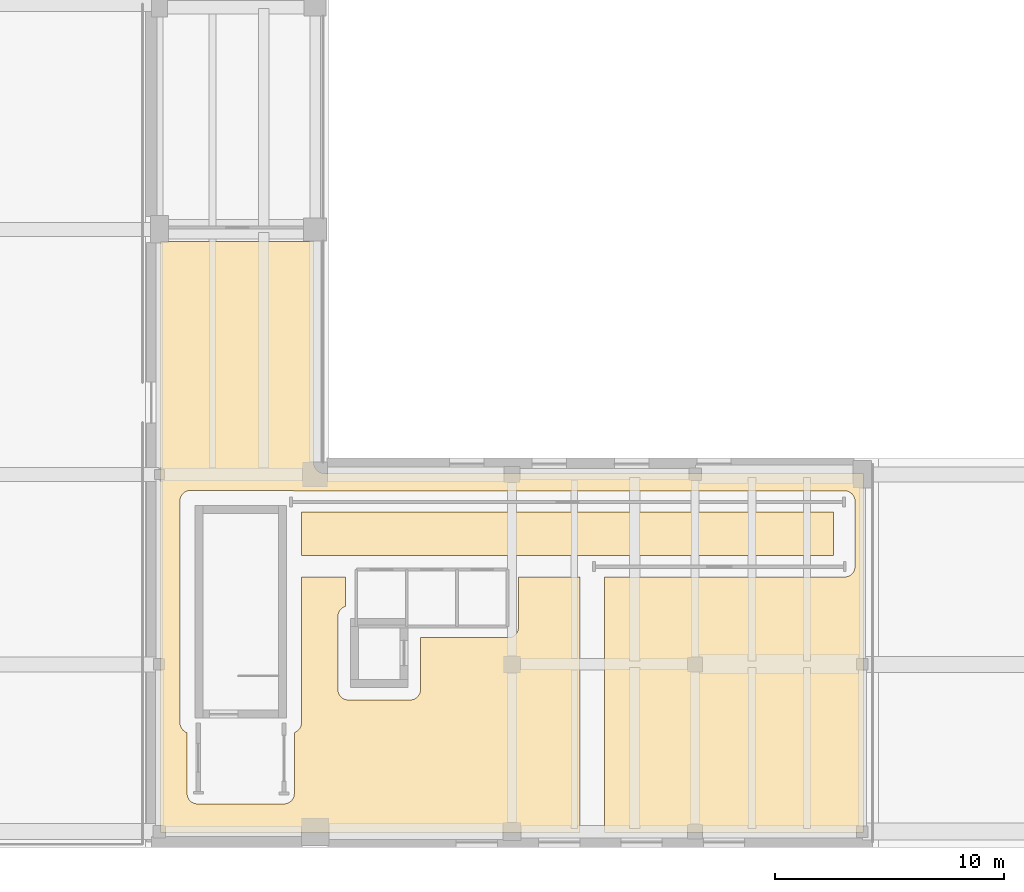
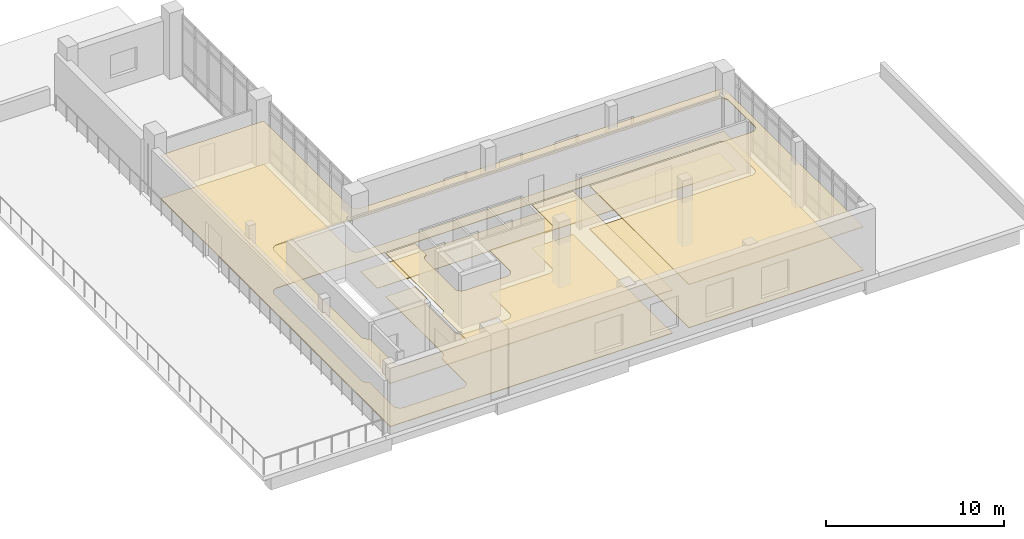
# One storey, part 74 of 75: 3 coverings.
"""IFC4 building model written with IfcOpenShell, lengths in metres."""

from ifc_helpers import new_model, si_unit, direction, frame, origin, place, context, subcontext, project, spatial, polyline, outline, extrude, material, layer, layer_set, type_object, element, save


model = new_model("IFC4")

# Units and contexts
model_context = context("Model", 3, precision=1e-05, world=origin(), true_north=direction((0.0, 1.0)))
body_context = subcontext(model_context, "Body", "Model", "MODEL_VIEW")
ifc_project = project(units=[si_unit("LENGTHUNIT", "METRE"), si_unit("AREAUNIT", "SQUARE_METRE"), si_unit("VOLUMEUNIT", "CUBIC_METRE"), si_unit("PLANEANGLEUNIT", "RADIAN"), si_unit("MASSUNIT", "GRAM", prefix="KILO")], contexts=[model_context])

# Site, building, storey
site_placement = place(None, origin())
site = spatial("IfcSite", under=ifc_project, at=site_placement, CompositionType="ELEMENT")
building_placement = place(site_placement, origin())
building = spatial("IfcBuilding", under=site, at=building_placement, Name="Soyqirgoq Riverine Aquarium", CompositionType="ELEMENT")
storey_placement = place(building_placement, frame((0.0, 0.0, 10.199951171875)))
storey = spatial("IfcBuildingStorey", under=building, at=storey_placement, Name="L03", CompositionType="ELEMENT", Elevation=10.199951171875)

# Coverings
ifc_material_1 = material(Name="Perforated mineral-fibre acoustic ceiling", Category="gypsum")
ifc_layer_1 = layer(ifc_material_1, 0.050048828125)
ifc_layer_set_1 = layer_set([ifc_layer_1], Name="Perforated mineral-fibre acoustic ceiling")
covering_type_1 = type_object("IfcCoveringType", Name="AcousticBaffleCeiling_50", PredefinedType="CEILING", material=ifc_layer_set_1)
covering_1_placement = place(storey_placement, frame((0.0, 0.0, 2.949951171875)))
element("IfcCovering", 1, at=covering_1_placement, inside=storey, type_object=covering_type_1, Name="Marine Seminar Room Suspended Ceiling", PredefinedType="CEILING", context=body_context, shape_type="SweptSolid", body=[
    extrude(outline(polyline([(123.81005859375, 3.860107421875), (123.81201171875, 3.81591796875), (123.819091796875, 3.77197265625), (123.8291015625, 3.72900390625), (123.843994140625, 3.68798828125), (123.863037109375, 3.64794921875), (123.885986328125, 3.610107421875), (123.912109375, 3.574951171875), (123.94189453125, 3.5419921875), (123.97509765625, 3.511962890625), (124.010009765625, 3.486083984375), (124.048095703125, 3.462890625), (124.087890625, 3.444091796875), (124.12890625, 3.428955078125), (124.172119140625, 3.4189453125), (124.216064453125, 3.412109375), (124.260009765625, 3.409912109375), (128.0400390625, 3.409912109375), (128.083984375, 3.412109375), (128.1279296875, 3.4189453125), (128.1708984375, 3.428955078125), (128.2119140625, 3.444091796875), (128.251953125, 3.462890625), (128.2900390625, 3.486083984375), (128.324951171875, 3.511962890625), (128.35791015625, 3.5419921875), (128.387939453125, 3.574951171875), (128.4140625, 3.610107421875), (128.43701171875, 3.64794921875), (128.4560546875, 3.68798828125), (128.470947265625, 3.72900390625), (128.48095703125, 3.77197265625), (128.488037109375, 3.81591796875), (128.489990234375, 3.860107421875), (128.489990234375, 6.52294921875), (128.52197265625, 6.533935546875), (128.56201171875, 6.552978515625), (128.60009765625, 6.575927734375), (128.635009765625, 6.60205078125), (128.66796875, 6.632080078125), (128.697998046875, 6.6650390625), (128.72412109375, 6.699951171875), (128.7470703125, 6.738037109375), (128.76611328125, 6.778076171875), (128.781005859375, 6.819091796875), (128.791015625, 6.862060546875), (128.798095703125, 6.906005859375), (128.800048828125, 6.949951171875), (128.800048828125, 13.320068359375), (130.719970703125, 13.320068359375), (130.719970703125, 12.031005859375), (130.718994140625, 12.031005859375), (130.677978515625, 12.01611328125), (130.637939453125, 11.9970703125), (130.60009765625, 11.97412109375), (130.56494140625, 11.947998046875), (130.531982421875, 11.91796875), (130.501953125, 11.885009765625), (130.47607421875, 11.85009765625), (130.452880859375, 11.81201171875), (130.43408203125, 11.77197265625), (130.4189453125, 11.73095703125), (130.408935546875, 11.68798828125), (130.402099609375, 11.64404296875), (130.39990234375, 11.60009765625), (130.39990234375, 8.39990234375), (130.402099609375, 8.35595703125), (130.408935546875, 8.31201171875), (130.4189453125, 8.26904296875), (130.43408203125, 8.22802734375), (130.452880859375, 8.18798828125), (130.47607421875, 8.14990234375), (130.501953125, 8.114990234375), (130.531982421875, 8.08203125), (130.56494140625, 8.052001953125), (130.60009765625, 8.02587890625), (130.637939453125, 8.0029296875), (130.677978515625, 7.98388671875), (130.718994140625, 7.968994140625), (130.761962890625, 7.958984375), (130.805908203125, 7.951904296875), (130.85009765625, 7.949951171875), (133.550048828125, 7.949951171875), (133.593994140625, 7.951904296875), (133.637939453125, 7.958984375), (133.680908203125, 7.968994140625), (133.721923828125, 7.98388671875), (133.761962890625, 8.0029296875), (133.800048828125, 8.02587890625), (133.8349609375, 8.052001953125), (133.867919921875, 8.08203125), (133.89794921875, 8.114990234375), (133.924072265625, 8.14990234375), (133.947021484375, 8.18798828125), (133.966064453125, 8.22802734375), (133.98095703125, 8.26904296875), (133.990966796875, 8.31201171875), (133.998046875, 8.35595703125), (134.0, 8.39990234375), (134.0, 10.669921875), (137.830078125, 10.669921875), (137.8740234375, 10.672119140625), (137.91796875, 10.678955078125), (137.9609375, 10.68896484375), (138.001953125, 10.7041015625), (138.0419921875, 10.722900390625), (138.080078125, 10.74609375), (138.114990234375, 10.77197265625), (138.14794921875, 10.802001953125), (138.177978515625, 10.8349609375), (138.2041015625, 10.8701171875), (138.22705078125, 10.907958984375), (138.24609375, 10.947998046875), (138.260986328125, 10.989013671875), (138.27099609375, 11.031982421875), (138.278076171875, 11.075927734375), (138.280029296875, 11.1201171875), (138.280029296875, 13.320068359375), (140.969970703125, 13.320068359375), (140.969970703125, 2.14990234375), (122.64990234375, 2.14990234375), (122.64990234375, 27.969970703125), (129.35009765625, 27.969970703125), (129.35009765625, 18.300048828125), (129.35205078125, 18.256103515625), (129.35888671875, 18.2119140625), (129.368896484375, 18.1689453125), (129.384033203125, 18.1279296875), (129.403076171875, 18.087890625), (129.426025390625, 18.050048828125), (129.451904296875, 18.014892578125), (129.48193359375, 17.98193359375), (129.514892578125, 17.951904296875), (129.550048828125, 17.926025390625), (129.587890625, 17.903076171875), (129.6279296875, 17.884033203125), (129.6689453125, 17.868896484375), (129.7119140625, 17.85888671875), (129.756103515625, 17.85205078125), (129.800048828125, 17.85009765625), (153.35009765625, 17.85009765625), (153.35009765625, 2.14990234375), (142.030029296875, 2.14990234375), (142.030029296875, 13.320068359375), (152.530029296875, 13.320068359375), (152.573974609375, 13.322021484375), (152.617919921875, 13.3291015625), (152.660888671875, 13.339111328125), (152.701904296875, 13.35400390625), (152.741943359375, 13.373046875), (152.780029296875, 13.39599609375), (152.81494140625, 13.422119140625), (152.847900390625, 13.451904296875), (152.8779296875, 13.485107421875), (152.904052734375, 13.52001953125), (152.927001953125, 13.55810546875), (152.946044921875, 13.597900390625), (152.9609375, 13.638916015625), (152.970947265625, 13.681884765625), (152.97802734375, 13.72607421875), (152.97998046875, 13.77001953125), (152.97998046875, 16.6298828125), (152.97802734375, 16.674072265625), (152.970947265625, 16.718017578125), (152.9609375, 16.760986328125), (152.946044921875, 16.802001953125), (152.927001953125, 16.842041015625), (152.904052734375, 16.8798828125), (152.8779296875, 16.9150390625), (152.847900390625, 16.947998046875), (152.81494140625, 16.97802734375), (152.780029296875, 17.00390625), (152.741943359375, 17.027099609375), (152.701904296875, 17.0458984375), (152.660888671875, 17.06103515625), (152.617919921875, 17.071044921875), (152.573974609375, 17.077880859375), (152.530029296875, 17.080078125), (128.48193359375, 17.080078125), (128.48095703125, 17.0810546875), (128.43798828125, 17.091064453125), (128.39404296875, 17.097900390625), (128.35009765625, 17.10009765625), (123.949951171875, 17.10009765625), (123.906005859375, 17.097900390625), (123.862060546875, 17.091064453125), (123.819091796875, 17.0810546875), (123.778076171875, 17.06591796875), (123.738037109375, 17.047119140625), (123.699951171875, 17.02392578125), (123.6650390625, 16.998046875), (123.632080078125, 16.968017578125), (123.60205078125, 16.93505859375), (123.575927734375, 16.89990234375), (123.552978515625, 16.862060546875), (123.533935546875, 16.822021484375), (123.51904296875, 16.781005859375), (123.509033203125, 16.738037109375), (123.501953125, 16.694091796875), (123.5, 16.64990234375), (123.5, 6.949951171875), (123.501953125, 6.906005859375), (123.509033203125, 6.862060546875), (123.51904296875, 6.819091796875), (123.533935546875, 6.778076171875), (123.552978515625, 6.738037109375), (123.575927734375, 6.699951171875), (123.60205078125, 6.6650390625), (123.632080078125, 6.632080078125), (123.6650390625, 6.60205078125), (123.699951171875, 6.575927734375), (123.738037109375, 6.552978515625), (123.778076171875, 6.533935546875), (123.81005859375, 6.52294921875), (123.81005859375, 3.860107421875)])), origin(), (0.0, 0.0, 1.0), 0.050048828125),
])
ifc_material_2 = material(Name="Polished Chirchiq river-pebble terrazzo flooring", Category="concrete")
ifc_layer_2 = layer(ifc_material_2, 0.030029296875)
ifc_layer_set_2 = layer_set([ifc_layer_2], Name="Polished Chirchiq river-pebble terrazzo flooring")
covering_type_2 = type_object("IfcCoveringType", Name="TerrazzoFloorFinish_30", PredefinedType="FLOORING", material=ifc_layer_set_2)
covering_2_placement = place(storey_placement, origin())
element("IfcCovering", 2, at=covering_2_placement, inside=storey, type_object=covering_type_2, Name="Library Reading Corridor Floor Finish", PredefinedType="FLOORING", context=body_context, shape_type="SweptSolid", body=[
    extrude(outline(polyline([(152.050048828125, 16.14990234375), (152.050048828125, 14.25), (128.800048828125, 14.25), (128.800048828125, 16.14990234375), (152.050048828125, 16.14990234375)])), origin(), (0.0, 0.0, 1.0), 0.030029296875),
])
covering_3_placement = place(storey_placement, origin())
element("IfcCovering", 3, at=covering_3_placement, inside=storey, type_object=covering_type_2, Name="Marine Seminar Room Floor Finish", PredefinedType="FLOORING", context=body_context, shape_type="SweptSolid", body=[
    extrude(outline(polyline([(123.81005859375, 3.860107421875), (123.81201171875, 3.81591796875), (123.819091796875, 3.77197265625), (123.8291015625, 3.72900390625), (123.843994140625, 3.68798828125), (123.863037109375, 3.64794921875), (123.885986328125, 3.610107421875), (123.912109375, 3.574951171875), (123.94189453125, 3.5419921875), (123.97509765625, 3.511962890625), (124.010009765625, 3.486083984375), (124.048095703125, 3.462890625), (124.087890625, 3.444091796875), (124.12890625, 3.428955078125), (124.172119140625, 3.4189453125), (124.216064453125, 3.412109375), (124.260009765625, 3.409912109375), (128.0400390625, 3.409912109375), (128.083984375, 3.412109375), (128.1279296875, 3.4189453125), (128.1708984375, 3.428955078125), (128.2119140625, 3.444091796875), (128.251953125, 3.462890625), (128.2900390625, 3.486083984375), (128.324951171875, 3.511962890625), (128.35791015625, 3.5419921875), (128.387939453125, 3.574951171875), (128.4140625, 3.610107421875), (128.43701171875, 3.64794921875), (128.4560546875, 3.68798828125), (128.470947265625, 3.72900390625), (128.48095703125, 3.77197265625), (128.488037109375, 3.81591796875), (128.489990234375, 3.860107421875), (128.489990234375, 6.52294921875), (128.52197265625, 6.533935546875), (128.56201171875, 6.552978515625), (128.60009765625, 6.575927734375), (128.635009765625, 6.60205078125), (128.66796875, 6.632080078125), (128.697998046875, 6.6650390625), (128.72412109375, 6.699951171875), (128.7470703125, 6.738037109375), (128.76611328125, 6.778076171875), (128.781005859375, 6.819091796875), (128.791015625, 6.862060546875), (128.798095703125, 6.906005859375), (128.800048828125, 6.949951171875), (128.800048828125, 13.320068359375), (130.719970703125, 13.320068359375), (130.719970703125, 12.031005859375), (130.718994140625, 12.031005859375), (130.677978515625, 12.01611328125), (130.637939453125, 11.9970703125), (130.60009765625, 11.97412109375), (130.56494140625, 11.947998046875), (130.531982421875, 11.91796875), (130.501953125, 11.885009765625), (130.47607421875, 11.85009765625), (130.452880859375, 11.81201171875), (130.43408203125, 11.77197265625), (130.4189453125, 11.73095703125), (130.408935546875, 11.68798828125), (130.402099609375, 11.64404296875), (130.39990234375, 11.60009765625), (130.39990234375, 8.39990234375), (130.402099609375, 8.35595703125), (130.408935546875, 8.31201171875), (130.4189453125, 8.26904296875), (130.43408203125, 8.22802734375), (130.452880859375, 8.18798828125), (130.47607421875, 8.14990234375), (130.501953125, 8.114990234375), (130.531982421875, 8.08203125), (130.56494140625, 8.052001953125), (130.60009765625, 8.02587890625), (130.637939453125, 8.0029296875), (130.677978515625, 7.98388671875), (130.718994140625, 7.968994140625), (130.761962890625, 7.958984375), (130.805908203125, 7.951904296875), (130.85009765625, 7.949951171875), (133.550048828125, 7.949951171875), (133.593994140625, 7.951904296875), (133.637939453125, 7.958984375), (133.680908203125, 7.968994140625), (133.721923828125, 7.98388671875), (133.761962890625, 8.0029296875), (133.800048828125, 8.02587890625), (133.8349609375, 8.052001953125), (133.867919921875, 8.08203125), (133.89794921875, 8.114990234375), (133.924072265625, 8.14990234375), (133.947021484375, 8.18798828125), (133.966064453125, 8.22802734375), (133.98095703125, 8.26904296875), (133.990966796875, 8.31201171875), (133.998046875, 8.35595703125), (134.0, 8.39990234375), (134.0, 10.669921875), (137.830078125, 10.669921875), (137.8740234375, 10.672119140625), (137.91796875, 10.678955078125), (137.9609375, 10.68896484375), (138.001953125, 10.7041015625), (138.0419921875, 10.722900390625), (138.080078125, 10.74609375), (138.114990234375, 10.77197265625), (138.14794921875, 10.802001953125), (138.177978515625, 10.8349609375), (138.2041015625, 10.8701171875), (138.22705078125, 10.907958984375), (138.24609375, 10.947998046875), (138.260986328125, 10.989013671875), (138.27099609375, 11.031982421875), (138.278076171875, 11.075927734375), (138.280029296875, 11.1201171875), (138.280029296875, 13.320068359375), (140.969970703125, 13.320068359375), (140.969970703125, 2.14990234375), (122.64990234375, 2.14990234375), (122.64990234375, 27.969970703125), (129.35009765625, 27.969970703125), (129.35009765625, 18.300048828125), (129.35205078125, 18.256103515625), (129.35888671875, 18.2119140625), (129.368896484375, 18.1689453125), (129.384033203125, 18.1279296875), (129.403076171875, 18.087890625), (129.426025390625, 18.050048828125), (129.451904296875, 18.014892578125), (129.48193359375, 17.98193359375), (129.514892578125, 17.951904296875), (129.550048828125, 17.926025390625), (129.587890625, 17.903076171875), (129.6279296875, 17.884033203125), (129.6689453125, 17.868896484375), (129.7119140625, 17.85888671875), (129.756103515625, 17.85205078125), (129.800048828125, 17.85009765625), (153.35009765625, 17.85009765625), (153.35009765625, 2.14990234375), (142.030029296875, 2.14990234375), (142.030029296875, 13.320068359375), (152.530029296875, 13.320068359375), (152.573974609375, 13.322021484375), (152.617919921875, 13.3291015625), (152.660888671875, 13.339111328125), (152.701904296875, 13.35400390625), (152.741943359375, 13.373046875), (152.780029296875, 13.39599609375), (152.81494140625, 13.422119140625), (152.847900390625, 13.451904296875), (152.8779296875, 13.485107421875), (152.904052734375, 13.52001953125), (152.927001953125, 13.55810546875), (152.946044921875, 13.597900390625), (152.9609375, 13.638916015625), (152.970947265625, 13.681884765625), (152.97802734375, 13.72607421875), (152.97998046875, 13.77001953125), (152.97998046875, 16.6298828125), (152.97802734375, 16.674072265625), (152.970947265625, 16.718017578125), (152.9609375, 16.760986328125), (152.946044921875, 16.802001953125), (152.927001953125, 16.842041015625), (152.904052734375, 16.8798828125), (152.8779296875, 16.9150390625), (152.847900390625, 16.947998046875), (152.81494140625, 16.97802734375), (152.780029296875, 17.00390625), (152.741943359375, 17.027099609375), (152.701904296875, 17.0458984375), (152.660888671875, 17.06103515625), (152.617919921875, 17.071044921875), (152.573974609375, 17.077880859375), (152.530029296875, 17.080078125), (128.48193359375, 17.080078125), (128.48095703125, 17.0810546875), (128.43798828125, 17.091064453125), (128.39404296875, 17.097900390625), (128.35009765625, 17.10009765625), (123.949951171875, 17.10009765625), (123.906005859375, 17.097900390625), (123.862060546875, 17.091064453125), (123.819091796875, 17.0810546875), (123.778076171875, 17.06591796875), (123.738037109375, 17.047119140625), (123.699951171875, 17.02392578125), (123.6650390625, 16.998046875), (123.632080078125, 16.968017578125), (123.60205078125, 16.93505859375), (123.575927734375, 16.89990234375), (123.552978515625, 16.862060546875), (123.533935546875, 16.822021484375), (123.51904296875, 16.781005859375), (123.509033203125, 16.738037109375), (123.501953125, 16.694091796875), (123.5, 16.64990234375), (123.5, 6.949951171875), (123.501953125, 6.906005859375), (123.509033203125, 6.862060546875), (123.51904296875, 6.819091796875), (123.533935546875, 6.778076171875), (123.552978515625, 6.738037109375), (123.575927734375, 6.699951171875), (123.60205078125, 6.6650390625), (123.632080078125, 6.632080078125), (123.6650390625, 6.60205078125), (123.699951171875, 6.575927734375), (123.738037109375, 6.552978515625), (123.778076171875, 6.533935546875), (123.81005859375, 6.52294921875), (123.81005859375, 3.860107421875)])), origin(), (0.0, 0.0, 1.0), 0.030029296875),
])

save(model, "model.ifc")
